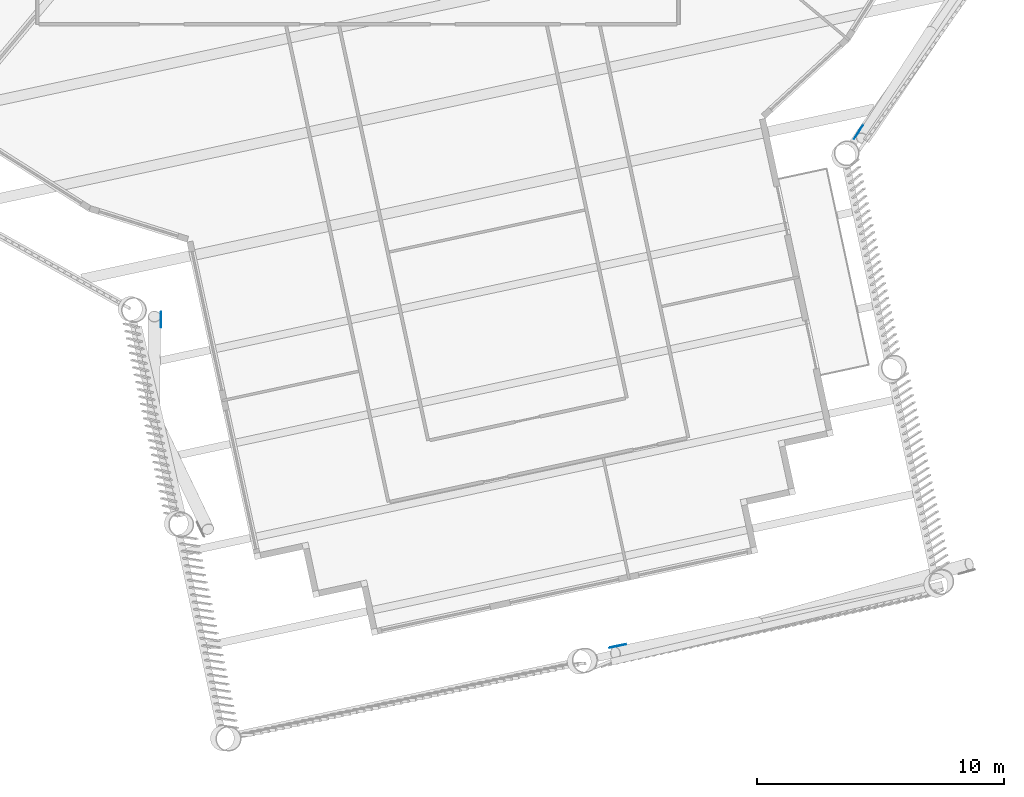
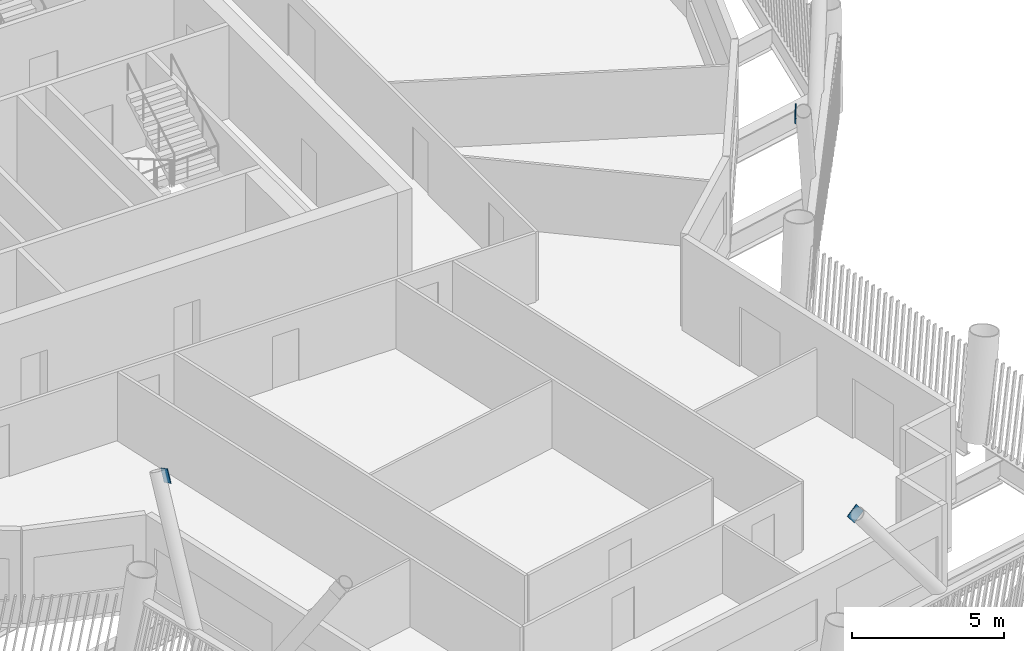
# One storey, part 11 of 21: 3 discrete accessories.
"""IFC4 building model written with IfcOpenShell, lengths in metres."""

from ifc_helpers import new_model, si_unit, direction, frame, origin, origin_2d, place, context, subcontext, project, spatial, rectangle, extrude, material, material_profile, profile_set, type_object, element, save


model = new_model("IFC4")

# Units and contexts
model_context = context("Model", 3, precision=1e-05, world=origin(), true_north=direction((0.0, 1.0)))
body_context = subcontext(model_context, "Body", "Model", "MODEL_VIEW")
ifc_project = project(units=[si_unit("LENGTHUNIT", "METRE"), si_unit("AREAUNIT", "SQUARE_METRE"), si_unit("VOLUMEUNIT", "CUBIC_METRE"), si_unit("PLANEANGLEUNIT", "RADIAN"), si_unit("MASSUNIT", "GRAM", prefix="KILO")], contexts=[model_context])

# Site, building, storey
site_placement = place(None, origin())
site = spatial("IfcSite", under=ifc_project, at=site_placement, CompositionType="ELEMENT")
building_placement = place(site_placement, origin())
building = spatial("IfcBuilding", under=site, at=building_placement, Name="Tarsis Ring Headquarters", CompositionType="ELEMENT")
storey_placement = place(building_placement, frame((0.0, 0.0, 278.60009765625)))
storey = spatial("IfcBuildingStorey", under=building, at=storey_placement, Name="L65", CompositionType="ELEMENT", Elevation=278.60009765625)

# Discrete accessories
ifc_material = material(Name="Structural steel S355", Category="steel")
ifc_material_profile = material_profile(ifc_material, rectangle(XDim=0.02490234375, YDim=0.5, at=origin_2d()), Name="PL 25x500")
ifc_profile_set = profile_set([ifc_material_profile], Name="Structural steel S355")
discrete_accessory_type = type_object("IfcDiscreteAccessoryType", Name="Gusset plate Exo brace 25", PredefinedType="BRACKET", material=ifc_profile_set)
for number, where, z_axis, x_axis, name in (
    (1, (-7.988525390625, -27.85302734375, 7.7998046875), (-0.003907881768, -0.46064156337, -0.887577646494), (0.999964016521, -0.008483257828, 0.0), "Gusset plate GP5"),
    (2, (10.386474609375, -41.24609375, 7.7998046875), (0.590979833477, 0.124056923722, -0.797090155566), (-0.205439768076, 0.978669761305, 0.0), "Gusset plate GP5"),
    (3, (20.226806640625, -20.485107421875, 7.7998046875), (0.298477147789, 0.461638141833, -0.835345209032), (-0.839760836995, 0.542956477676, 0.0), "Gusset plate GP5"),
):
    element("IfcDiscreteAccessory", number, at=place(storey_placement, frame(where, z_axis=z_axis, x_axis=x_axis)), inside=storey, type_object=discrete_accessory_type, Name=name, PredefinedType="BRACKET", context=body_context, shape_type="SweptSolid", body=[
        extrude(rectangle(XDim=0.02490234375, YDim=0.5, at=origin_2d()), origin(), (0.0, 0.0, 1.0), 0.499755859375),
    ])

save(model, "model.ifc")
